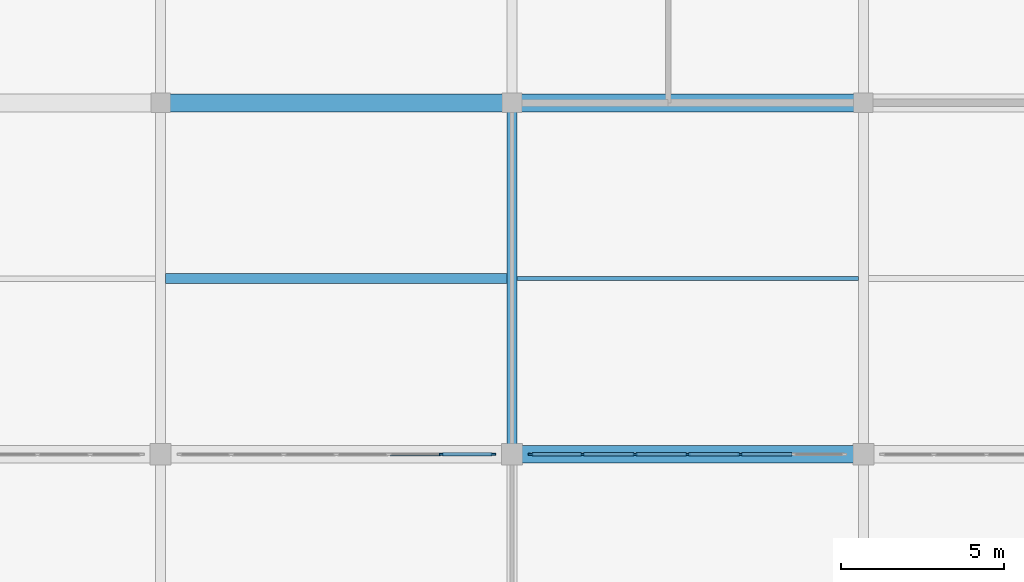
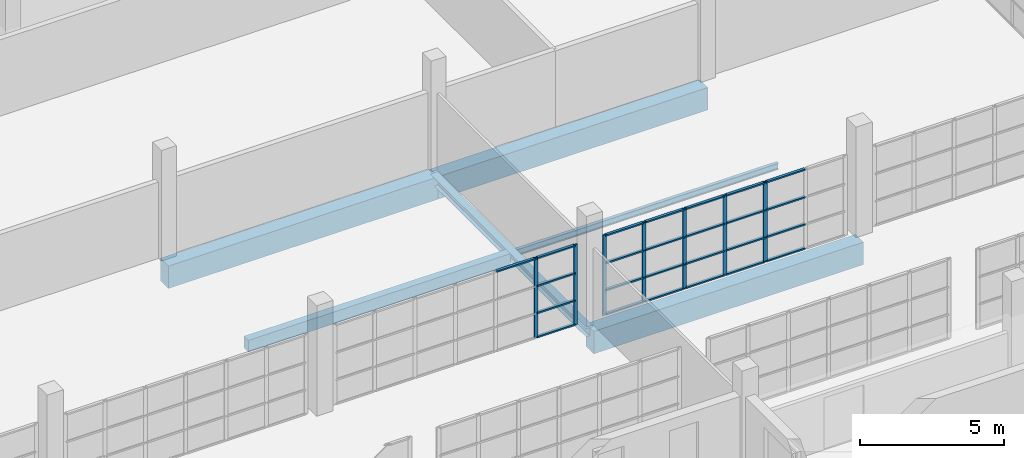
# One storey, part 73 of 142: 32 members, 6 beams, 2 elements without a shape of their own.
"""IFC4 building model written with IfcOpenShell, lengths in metres."""

from ifc_helpers import new_model, si_unit, direction, frame, origin, origin_2d, place, context, subcontext, project, spatial, rectangle, i_section, extrude, material, material_profile, profile_set, type_object, element, aggregate, save


model = new_model("IFC4")

# Units and contexts
model_context = context("Model", 3, precision=1e-05, world=origin(), true_north=direction((0.0, 1.0)))
body_context = subcontext(model_context, "Body", "Model", "MODEL_VIEW")
ifc_project = project(units=[si_unit("LENGTHUNIT", "METRE"), si_unit("AREAUNIT", "SQUARE_METRE"), si_unit("VOLUMEUNIT", "CUBIC_METRE"), si_unit("PLANEANGLEUNIT", "RADIAN"), si_unit("MASSUNIT", "GRAM", prefix="KILO")], contexts=[model_context])

# Site, building, storey
site_placement = place(None, origin())
site = spatial("IfcSite", under=ifc_project, at=site_placement, CompositionType="ELEMENT")
building_placement = place(site_placement, origin())
building = spatial("IfcBuilding", under=site, at=building_placement, Name="Zwinboog Wholesale Market", CompositionType="ELEMENT")
storey_placement = place(building_placement, frame((0.0, 0.0, 5.39990234375)))
storey = spatial("IfcBuildingStorey", under=building, at=storey_placement, Name="L01", CompositionType="ELEMENT", Elevation=5.39990234375)

# Beams
ifc_material_1 = material(Name="Precast concrete C45/55", Category="concrete")
ifc_material_profile_1 = material_profile(ifc_material_1, rectangle(XDim=0.550048828125, YDim=0.949951171875, at=origin_2d()), Name="PC 550x950")
ifc_profile_set_1 = profile_set([ifc_material_profile_1], Name="Precast concrete C45/55")
beam_type_1 = type_object("IfcBeamType", Name="BT-02", PredefinedType="BEAM", material=ifc_profile_set_1)
for number, where, z_axis, x_axis, name in (
    (1, (151.199951171875, 97.199951171875, -0.806884765625), (1.0, 0.0, 0.0), (0.0, 1.0, 0.0), "BG-02 (BMG-L01-1512-0972-0539)"),
    (2, (140.39990234375, 108.0, -0.806884765625), (1.0, 0.0, 0.0), (0.0, 1.0, 0.0), "BG-02 (BMG-L01-1404-1080-0554)"),
    (3, (151.199951171875, 108.0, -0.806884765625), (1.0, 0.0, 0.0), (0.0, 1.0, 0.0), "BG-02 (BMG-L01-1512-1080-0555)"),
):
    element("IfcBeam", number, at=place(storey_placement, frame(where, z_axis=z_axis, x_axis=x_axis)), inside=storey, type_object=beam_type_1, Name=name, PredefinedType="BEAM", context=body_context, shape_type="SweptSolid", body=[
        extrude(rectangle(XDim=0.550048828125, YDim=0.949951171875, at=origin_2d()), origin(), (0.0, 0.0, 1.0), 10.800048828125),
    ])
ifc_material_profile_2 = material_profile(ifc_material_1, rectangle(XDim=0.300048828125, YDim=0.5, at=origin_2d()), Name="PC 300x500")
ifc_profile_set_2 = profile_set([ifc_material_profile_2], Name="Precast concrete C45/55")
beam_type_2 = type_object("IfcBeamType", Name="BT-10", PredefinedType="JOIST", material=ifc_profile_set_2)
beam_1_placement = place(storey_placement, frame((140.550048828125, 102.60009765625, -0.581787109375), z_axis=(1.0, 0.0, 0.0), x_axis=(0.0, 1.0, 0.0)))
element("IfcBeam", 4, at=beam_1_placement, inside=storey, type_object=beam_type_2, Name="BJ-01 (BMG-L01-1406-1026-0845)", PredefinedType="JOIST", context=body_context, shape_type="SweptSolid", body=[
    extrude(rectangle(XDim=0.300048828125, YDim=0.5, at=origin_2d()), origin(), (0.0, 0.0, 1.0), 10.5),
])
ifc_material_2 = material(Name="Steel S355", Category="steel")
ifc_material_profile_3 = material_profile(ifc_material_2, i_section(OverallWidth=0.300048828125, OverallDepth=0.35009765625, WebThickness=0.010009765625, FlangeThickness=0.017578125, FilletRadius=0.027099609375, at=origin_2d()), Name="HEA 360")
ifc_profile_set_3 = profile_set([ifc_material_profile_3], Name="Steel S355")
beam_type_3 = type_object("IfcBeamType", Name="BT-17", PredefinedType="BEAM", material=ifc_profile_set_3)
beam_2_placement = place(storey_placement, frame((151.199951171875, 97.199951171875, -0.5068359375), z_axis=(0.0, 1.0, 0.0), x_axis=(-1.0, 0.0, 0.0)))
element("IfcBeam", 5, at=beam_2_placement, inside=storey, type_object=beam_type_3, Name="SB-04 (BMG-L01-1512-0972-0730)", PredefinedType="BEAM", context=body_context, shape_type="SweptSolid", body=[
    extrude(i_section(OverallWidth=0.300048828125, OverallDepth=0.35009765625, WebThickness=0.010009765625, FlangeThickness=0.017578125, FilletRadius=0.027099609375, at=origin_2d()), origin(), (0.0, 0.0, 1.0), 10.800048828125),
])
ifc_material_profile_4 = material_profile(ifc_material_2, i_section(OverallWidth=0.135009765625, OverallDepth=0.27001953125, WebThickness=0.006591796875, FlangeThickness=0.01025390625, FilletRadius=0.014892578125, at=origin_2d()), Name="IPE 270")
ifc_profile_set_4 = profile_set([ifc_material_profile_4], Name="Steel S355")
beam_type_4 = type_object("IfcBeamType", Name="BT-21", PredefinedType="JOIST", material=ifc_profile_set_4)
beam_3_placement = place(storey_placement, frame((151.35009765625, 102.60009765625, -0.466796875), z_axis=(1.0, 0.0, 0.0), x_axis=(0.0, 1.0, 0.0)))
element("IfcBeam", 6, at=beam_3_placement, inside=storey, type_object=beam_type_4, Name="SJ-04 (BMG-L01-1514-1026-0853)", PredefinedType="JOIST", context=body_context, shape_type="SweptSolid", body=[
    extrude(i_section(OverallWidth=0.135009765625, OverallDepth=0.27001953125, WebThickness=0.006591796875, FlangeThickness=0.01025390625, FilletRadius=0.014892578125, at=origin_2d()), origin(), (0.0, 0.0, 1.0), 10.5),
])

# Curtain wall, members
ifc_material_3 = material(Name="Aluminium thermally broken curtain wall", Category="aluminium")
curtain_wall_type = type_object("IfcCurtainWallType", Name="CWT-INT-STALL", PredefinedType="USERDEFINED", material=ifc_material_3)
curtain_wall_1_placement = place(storey_placement, origin())
curtain_wall_1 = element("IfcCurtainWall", 7, at=curtain_wall_1_placement, inside=storey, type_object=curtain_wall_type, Name="CW-07 (CW-STL-252)", ObjectType="STOREFRONT_GLAZING", PredefinedType="USERDEFINED")
ifc_material_4 = material(Name="Aluminium EN AW-6060", Category="aluminium")
ifc_material_profile_5 = material_profile(ifc_material_4, rectangle(XDim=0.06005859375, YDim=0.14990234375, at=origin_2d()), Name="AL 60x150")
ifc_profile_set_5 = profile_set([ifc_material_profile_5], Name="Aluminium EN AW-6060")
member_type_1 = type_object("IfcMemberType", Name="CWM-INT-60x120", PredefinedType="MULLION", material=ifc_profile_set_5)
member_1_placement = place(storey_placement, frame((149.033447265625, 97.199951171875, 0.0), z_axis=(0.0, 0.0, 1.0), x_axis=(0.0, 1.0, 0.0)))
member_1 = element("IfcMember", 8, at=member_1_placement, type_object=member_type_1, Name="CW-07 mullion 6", PredefinedType="MULLION", context=body_context, shape_type="SweptSolid", body=[
    extrude(rectangle(XDim=0.06005859375, YDim=0.14990234375, at=origin_2d()), origin(), (0.0, 0.0, 1.0), 3.400146484375),
])
member_2_placement = place(storey_placement, frame((150.6201171875, 97.199951171875, 0.0), z_axis=(0.0, 0.0, 1.0), x_axis=(0.0, 1.0, 0.0)))
member_2 = element("IfcMember", 9, at=member_2_placement, type_object=member_type_1, Name="CW-07 mullion 7", PredefinedType="MULLION", context=body_context, shape_type="SweptSolid", body=[
    extrude(rectangle(XDim=0.06005859375, YDim=0.14990234375, at=origin_2d()), origin(), (0.0, 0.0, 1.0), 3.400146484375),
])

curtain_wall_2_placement = place(storey_placement, origin())
curtain_wall_2 = element("IfcCurtainWall", 10, at=curtain_wall_2_placement, inside=storey, type_object=curtain_wall_type, Name="CW-07 (CW-STL-253)", ObjectType="STOREFRONT_GLAZING", PredefinedType="USERDEFINED")
member_3_placement = place(storey_placement, frame((151.780029296875, 97.199951171875, 0.0), z_axis=(0.0, 0.0, 1.0), x_axis=(0.0, 1.0, 0.0)))
member_3 = element("IfcMember", 11, at=member_3_placement, type_object=member_type_1, Name="CW-07 mullion 1", PredefinedType="MULLION", context=body_context, shape_type="SweptSolid", body=[
    extrude(rectangle(XDim=0.06005859375, YDim=0.14990234375, at=origin_2d()), origin(), (0.0, 0.0, 1.0), 3.400146484375),
])
member_4_placement = place(storey_placement, frame((153.36669921875, 97.199951171875, 0.0), z_axis=(0.0, 0.0, 1.0), x_axis=(0.0, 1.0, 0.0)))
member_4 = element("IfcMember", 12, at=member_4_placement, type_object=member_type_1, Name="CW-07 mullion 2", PredefinedType="MULLION", context=body_context, shape_type="SweptSolid", body=[
    extrude(rectangle(XDim=0.06005859375, YDim=0.14990234375, at=origin_2d()), origin(), (0.0, 0.0, 1.0), 3.400146484375),
])
member_5_placement = place(storey_placement, frame((154.9833984375, 97.199951171875, 0.0), z_axis=(0.0, 0.0, 1.0), x_axis=(0.0, 1.0, 0.0)))
member_5 = element("IfcMember", 13, at=member_5_placement, type_object=member_type_1, Name="CW-07 mullion 3", PredefinedType="MULLION", context=body_context, shape_type="SweptSolid", body=[
    extrude(rectangle(XDim=0.06005859375, YDim=0.14990234375, at=origin_2d()), origin(), (0.0, 0.0, 1.0), 3.400146484375),
])
member_6_placement = place(storey_placement, frame((156.60009765625, 97.199951171875, 0.0), z_axis=(0.0, 0.0, 1.0), x_axis=(0.0, 1.0, 0.0)))
member_6 = element("IfcMember", 14, at=member_6_placement, type_object=member_type_1, Name="CW-07 mullion 4", PredefinedType="MULLION", context=body_context, shape_type="SweptSolid", body=[
    extrude(rectangle(XDim=0.06005859375, YDim=0.14990234375, at=origin_2d()), origin(), (0.0, 0.0, 1.0), 3.400146484375),
])
member_7_placement = place(storey_placement, frame((158.216552734375, 97.199951171875, 0.0), z_axis=(0.0, 0.0, 1.0), x_axis=(0.0, 1.0, 0.0)))
member_7 = element("IfcMember", 15, at=member_7_placement, type_object=member_type_1, Name="CW-07 mullion 5", PredefinedType="MULLION", context=body_context, shape_type="SweptSolid", body=[
    extrude(rectangle(XDim=0.06005859375, YDim=0.14990234375, at=origin_2d()), origin(), (0.0, 0.0, 1.0), 3.400146484375),
])

# Member
ifc_material_profile_6 = material_profile(ifc_material_4, rectangle(XDim=0.110107421875, YDim=0.06005859375, at=origin_2d()), Name="AL 60x110")
ifc_profile_set_6 = profile_set([ifc_material_profile_6], Name="Aluminium EN AW-6060")
member_type_2 = type_object("IfcMemberType", Name="CWT-INT-60x100", PredefinedType="USERDEFINED", material=ifc_profile_set_6)
member_8_placement = place(storey_placement, frame((147.44677734375, 97.199951171875, 3.3701171875), z_axis=(1.0, 0.0, 0.0), x_axis=(0.0, 1.0, 0.0)))
member_8 = element("IfcMember", 16, at=member_8_placement, type_object=member_type_2, Name="CW-07 transom 5.4", ObjectType="TRANSOM", PredefinedType="USERDEFINED", context=body_context, shape_type="SweptSolid", body=[
    extrude(rectangle(XDim=0.110107421875, YDim=0.06005859375, at=origin_2d()), origin(), (0.0, 0.0, 1.0), 1.556640625),
])

member_9_placement = place(storey_placement, frame((149.063232421875, 97.199951171875, 0.030029296875), z_axis=(1.0, 0.0, 0.0), x_axis=(0.0, 1.0, 0.0)))
member_9 = element("IfcMember", 17, at=member_9_placement, type_object=member_type_2, Name="CW-07 transom 6.1", ObjectType="TRANSOM", PredefinedType="USERDEFINED", context=body_context, shape_type="SweptSolid", body=[
    extrude(rectangle(XDim=0.110107421875, YDim=0.06005859375, at=origin_2d()), origin(), (0.0, 0.0, 1.0), 1.52685546875),
])

member_10_placement = place(storey_placement, frame((149.063232421875, 97.199951171875, 1.050048828125), z_axis=(1.0, 0.0, 0.0), x_axis=(0.0, 1.0, 0.0)))
member_10 = element("IfcMember", 18, at=member_10_placement, type_object=member_type_2, Name="CW-07 transom 6.2", ObjectType="TRANSOM", PredefinedType="USERDEFINED", context=body_context, shape_type="SweptSolid", body=[
    extrude(rectangle(XDim=0.110107421875, YDim=0.06005859375, at=origin_2d()), origin(), (0.0, 0.0, 1.0), 1.52685546875),
])

member_11_placement = place(storey_placement, frame((149.063232421875, 97.199951171875, 2.2001953125), z_axis=(1.0, 0.0, 0.0), x_axis=(0.0, 1.0, 0.0)))
member_11 = element("IfcMember", 19, at=member_11_placement, type_object=member_type_2, Name="CW-07 transom 6.3", ObjectType="TRANSOM", PredefinedType="USERDEFINED", context=body_context, shape_type="SweptSolid", body=[
    extrude(rectangle(XDim=0.110107421875, YDim=0.06005859375, at=origin_2d()), origin(), (0.0, 0.0, 1.0), 1.52685546875),
])

member_12_placement = place(storey_placement, frame((149.063232421875, 97.199951171875, 3.3701171875), z_axis=(1.0, 0.0, 0.0), x_axis=(0.0, 1.0, 0.0)))
member_12 = element("IfcMember", 20, at=member_12_placement, type_object=member_type_2, Name="CW-07 transom 6.4", ObjectType="TRANSOM", PredefinedType="USERDEFINED", context=body_context, shape_type="SweptSolid", body=[
    extrude(rectangle(XDim=0.110107421875, YDim=0.06005859375, at=origin_2d()), origin(), (0.0, 0.0, 1.0), 1.52685546875),
])

aggregate(curtain_wall_1, [member_1, member_2, member_8, member_9, member_10, member_11, member_12])

member_13_placement = place(storey_placement, frame((151.81005859375, 97.199951171875, 0.030029296875), z_axis=(1.0, 0.0, 0.0), x_axis=(0.0, 1.0, 0.0)))
member_13 = element("IfcMember", 21, at=member_13_placement, type_object=member_type_2, Name="CW-07 transom 1.1", ObjectType="TRANSOM", PredefinedType="USERDEFINED", context=body_context, shape_type="SweptSolid", body=[
    extrude(rectangle(XDim=0.110107421875, YDim=0.06005859375, at=origin_2d()), origin(), (0.0, 0.0, 1.0), 1.526611328125),
])

member_14_placement = place(storey_placement, frame((151.81005859375, 97.199951171875, 1.050048828125), z_axis=(1.0, 0.0, 0.0), x_axis=(0.0, 1.0, 0.0)))
member_14 = element("IfcMember", 22, at=member_14_placement, type_object=member_type_2, Name="CW-07 transom 1.2", ObjectType="TRANSOM", PredefinedType="USERDEFINED", context=body_context, shape_type="SweptSolid", body=[
    extrude(rectangle(XDim=0.110107421875, YDim=0.06005859375, at=origin_2d()), origin(), (0.0, 0.0, 1.0), 1.526611328125),
])

member_15_placement = place(storey_placement, frame((151.81005859375, 97.199951171875, 2.2001953125), z_axis=(1.0, 0.0, 0.0), x_axis=(0.0, 1.0, 0.0)))
member_15 = element("IfcMember", 23, at=member_15_placement, type_object=member_type_2, Name="CW-07 transom 1.3", ObjectType="TRANSOM", PredefinedType="USERDEFINED", context=body_context, shape_type="SweptSolid", body=[
    extrude(rectangle(XDim=0.110107421875, YDim=0.06005859375, at=origin_2d()), origin(), (0.0, 0.0, 1.0), 1.526611328125),
])

member_16_placement = place(storey_placement, frame((151.81005859375, 97.199951171875, 3.3701171875), z_axis=(1.0, 0.0, 0.0), x_axis=(0.0, 1.0, 0.0)))
member_16 = element("IfcMember", 24, at=member_16_placement, type_object=member_type_2, Name="CW-07 transom 1.4", ObjectType="TRANSOM", PredefinedType="USERDEFINED", context=body_context, shape_type="SweptSolid", body=[
    extrude(rectangle(XDim=0.110107421875, YDim=0.06005859375, at=origin_2d()), origin(), (0.0, 0.0, 1.0), 1.526611328125),
])

member_17_placement = place(storey_placement, frame((153.396728515625, 97.199951171875, 0.030029296875), z_axis=(1.0, 0.0, 0.0), x_axis=(0.0, 1.0, 0.0)))
member_17 = element("IfcMember", 25, at=member_17_placement, type_object=member_type_2, Name="CW-07 transom 2.1", ObjectType="TRANSOM", PredefinedType="USERDEFINED", context=body_context, shape_type="SweptSolid", body=[
    extrude(rectangle(XDim=0.110107421875, YDim=0.06005859375, at=origin_2d()), origin(), (0.0, 0.0, 1.0), 1.556640625),
])

member_18_placement = place(storey_placement, frame((153.396728515625, 97.199951171875, 1.050048828125), z_axis=(1.0, 0.0, 0.0), x_axis=(0.0, 1.0, 0.0)))
member_18 = element("IfcMember", 26, at=member_18_placement, type_object=member_type_2, Name="CW-07 transom 2.2", ObjectType="TRANSOM", PredefinedType="USERDEFINED", context=body_context, shape_type="SweptSolid", body=[
    extrude(rectangle(XDim=0.110107421875, YDim=0.06005859375, at=origin_2d()), origin(), (0.0, 0.0, 1.0), 1.556640625),
])

member_19_placement = place(storey_placement, frame((153.396728515625, 97.199951171875, 2.2001953125), z_axis=(1.0, 0.0, 0.0), x_axis=(0.0, 1.0, 0.0)))
member_19 = element("IfcMember", 27, at=member_19_placement, type_object=member_type_2, Name="CW-07 transom 2.3", ObjectType="TRANSOM", PredefinedType="USERDEFINED", context=body_context, shape_type="SweptSolid", body=[
    extrude(rectangle(XDim=0.110107421875, YDim=0.06005859375, at=origin_2d()), origin(), (0.0, 0.0, 1.0), 1.556640625),
])

member_20_placement = place(storey_placement, frame((153.396728515625, 97.199951171875, 3.3701171875), z_axis=(1.0, 0.0, 0.0), x_axis=(0.0, 1.0, 0.0)))
member_20 = element("IfcMember", 28, at=member_20_placement, type_object=member_type_2, Name="CW-07 transom 2.4", ObjectType="TRANSOM", PredefinedType="USERDEFINED", context=body_context, shape_type="SweptSolid", body=[
    extrude(rectangle(XDim=0.110107421875, YDim=0.06005859375, at=origin_2d()), origin(), (0.0, 0.0, 1.0), 1.556640625),
])

member_21_placement = place(storey_placement, frame((155.013427734375, 97.199951171875, 0.030029296875), z_axis=(1.0, 0.0, 0.0), x_axis=(0.0, 1.0, 0.0)))
member_21 = element("IfcMember", 29, at=member_21_placement, type_object=member_type_2, Name="CW-07 transom 3.1", ObjectType="TRANSOM", PredefinedType="USERDEFINED", context=body_context, shape_type="SweptSolid", body=[
    extrude(rectangle(XDim=0.110107421875, YDim=0.06005859375, at=origin_2d()), origin(), (0.0, 0.0, 1.0), 1.556640625),
])

member_22_placement = place(storey_placement, frame((155.013427734375, 97.199951171875, 1.050048828125), z_axis=(1.0, 0.0, 0.0), x_axis=(0.0, 1.0, 0.0)))
member_22 = element("IfcMember", 30, at=member_22_placement, type_object=member_type_2, Name="CW-07 transom 3.2", ObjectType="TRANSOM", PredefinedType="USERDEFINED", context=body_context, shape_type="SweptSolid", body=[
    extrude(rectangle(XDim=0.110107421875, YDim=0.06005859375, at=origin_2d()), origin(), (0.0, 0.0, 1.0), 1.556640625),
])

member_23_placement = place(storey_placement, frame((155.013427734375, 97.199951171875, 2.2001953125), z_axis=(1.0, 0.0, 0.0), x_axis=(0.0, 1.0, 0.0)))
member_23 = element("IfcMember", 31, at=member_23_placement, type_object=member_type_2, Name="CW-07 transom 3.3", ObjectType="TRANSOM", PredefinedType="USERDEFINED", context=body_context, shape_type="SweptSolid", body=[
    extrude(rectangle(XDim=0.110107421875, YDim=0.06005859375, at=origin_2d()), origin(), (0.0, 0.0, 1.0), 1.556640625),
])

member_24_placement = place(storey_placement, frame((155.013427734375, 97.199951171875, 3.3701171875), z_axis=(1.0, 0.0, 0.0), x_axis=(0.0, 1.0, 0.0)))
member_24 = element("IfcMember", 32, at=member_24_placement, type_object=member_type_2, Name="CW-07 transom 3.4", ObjectType="TRANSOM", PredefinedType="USERDEFINED", context=body_context, shape_type="SweptSolid", body=[
    extrude(rectangle(XDim=0.110107421875, YDim=0.06005859375, at=origin_2d()), origin(), (0.0, 0.0, 1.0), 1.556640625),
])

member_25_placement = place(storey_placement, frame((156.6298828125, 97.199951171875, 0.030029296875), z_axis=(1.0, 0.0, 0.0), x_axis=(0.0, 1.0, 0.0)))
member_25 = element("IfcMember", 33, at=member_25_placement, type_object=member_type_2, Name="CW-07 transom 4.1", ObjectType="TRANSOM", PredefinedType="USERDEFINED", context=body_context, shape_type="SweptSolid", body=[
    extrude(rectangle(XDim=0.110107421875, YDim=0.06005859375, at=origin_2d()), origin(), (0.0, 0.0, 1.0), 1.556884765625),
])

member_26_placement = place(storey_placement, frame((156.6298828125, 97.199951171875, 1.050048828125), z_axis=(1.0, 0.0, 0.0), x_axis=(0.0, 1.0, 0.0)))
member_26 = element("IfcMember", 34, at=member_26_placement, type_object=member_type_2, Name="CW-07 transom 4.2", ObjectType="TRANSOM", PredefinedType="USERDEFINED", context=body_context, shape_type="SweptSolid", body=[
    extrude(rectangle(XDim=0.110107421875, YDim=0.06005859375, at=origin_2d()), origin(), (0.0, 0.0, 1.0), 1.556884765625),
])

member_27_placement = place(storey_placement, frame((156.6298828125, 97.199951171875, 2.2001953125), z_axis=(1.0, 0.0, 0.0), x_axis=(0.0, 1.0, 0.0)))
member_27 = element("IfcMember", 35, at=member_27_placement, type_object=member_type_2, Name="CW-07 transom 4.3", ObjectType="TRANSOM", PredefinedType="USERDEFINED", context=body_context, shape_type="SweptSolid", body=[
    extrude(rectangle(XDim=0.110107421875, YDim=0.06005859375, at=origin_2d()), origin(), (0.0, 0.0, 1.0), 1.556884765625),
])

member_28_placement = place(storey_placement, frame((156.6298828125, 97.199951171875, 3.3701171875), z_axis=(1.0, 0.0, 0.0), x_axis=(0.0, 1.0, 0.0)))
member_28 = element("IfcMember", 36, at=member_28_placement, type_object=member_type_2, Name="CW-07 transom 4.4", ObjectType="TRANSOM", PredefinedType="USERDEFINED", context=body_context, shape_type="SweptSolid", body=[
    extrude(rectangle(XDim=0.110107421875, YDim=0.06005859375, at=origin_2d()), origin(), (0.0, 0.0, 1.0), 1.556884765625),
])

member_29_placement = place(storey_placement, frame((158.24658203125, 97.199951171875, 0.030029296875), z_axis=(1.0, 0.0, 0.0), x_axis=(0.0, 1.0, 0.0)))
member_29 = element("IfcMember", 37, at=member_29_placement, type_object=member_type_2, Name="CW-07 transom 5.1", ObjectType="TRANSOM", PredefinedType="USERDEFINED", context=body_context, shape_type="SweptSolid", body=[
    extrude(rectangle(XDim=0.110107421875, YDim=0.06005859375, at=origin_2d()), origin(), (0.0, 0.0, 1.0), 1.556640625),
])

member_30_placement = place(storey_placement, frame((158.24658203125, 97.199951171875, 1.050048828125), z_axis=(1.0, 0.0, 0.0), x_axis=(0.0, 1.0, 0.0)))
member_30 = element("IfcMember", 38, at=member_30_placement, type_object=member_type_2, Name="CW-07 transom 5.2", ObjectType="TRANSOM", PredefinedType="USERDEFINED", context=body_context, shape_type="SweptSolid", body=[
    extrude(rectangle(XDim=0.110107421875, YDim=0.06005859375, at=origin_2d()), origin(), (0.0, 0.0, 1.0), 1.556640625),
])

member_31_placement = place(storey_placement, frame((158.24658203125, 97.199951171875, 2.2001953125), z_axis=(1.0, 0.0, 0.0), x_axis=(0.0, 1.0, 0.0)))
member_31 = element("IfcMember", 39, at=member_31_placement, type_object=member_type_2, Name="CW-07 transom 5.3", ObjectType="TRANSOM", PredefinedType="USERDEFINED", context=body_context, shape_type="SweptSolid", body=[
    extrude(rectangle(XDim=0.110107421875, YDim=0.06005859375, at=origin_2d()), origin(), (0.0, 0.0, 1.0), 1.556640625),
])

member_32_placement = place(storey_placement, frame((158.24658203125, 97.199951171875, 3.3701171875), z_axis=(1.0, 0.0, 0.0), x_axis=(0.0, 1.0, 0.0)))
member_32 = element("IfcMember", 40, at=member_32_placement, type_object=member_type_2, Name="CW-07 transom 5.4", ObjectType="TRANSOM", PredefinedType="USERDEFINED", context=body_context, shape_type="SweptSolid", body=[
    extrude(rectangle(XDim=0.110107421875, YDim=0.06005859375, at=origin_2d()), origin(), (0.0, 0.0, 1.0), 1.556640625),
])

aggregate(curtain_wall_2, [member_3, member_4, member_5, member_6, member_7, member_13, member_14, member_15, member_16, member_17, member_18, member_19, member_20, member_21, member_22, member_23, member_24, member_25, member_26, member_27, member_28, member_29, member_30, member_31, member_32])

save(model, "model.ifc")
